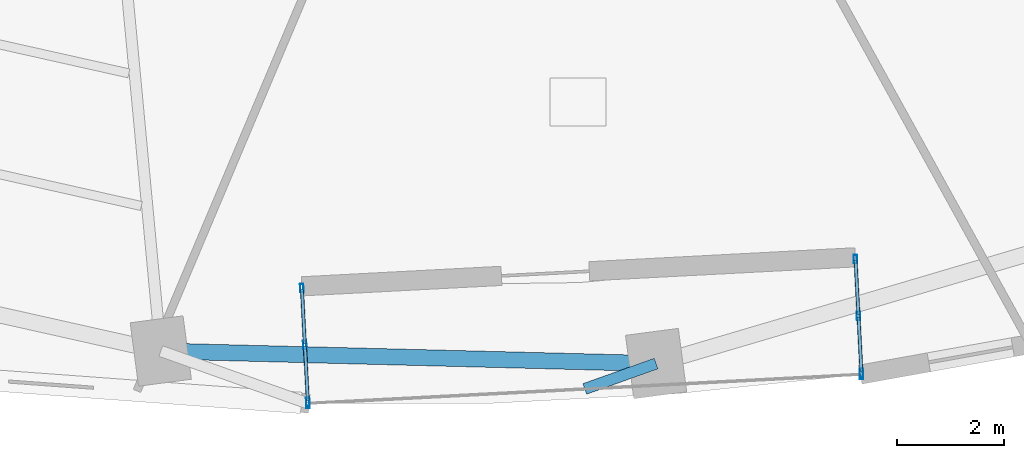
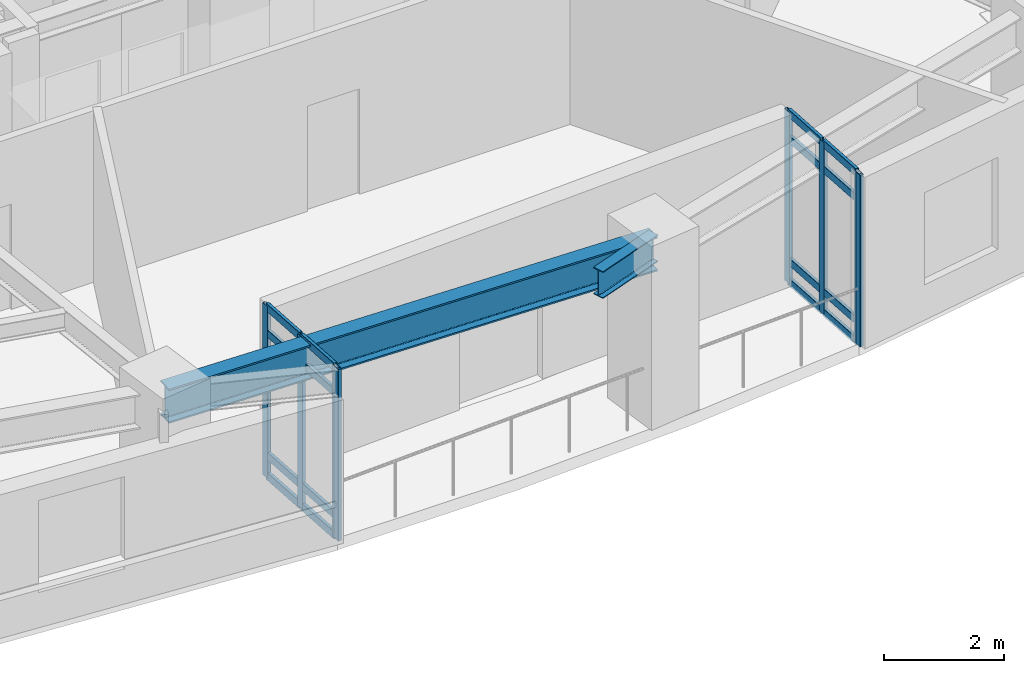
# One storey, part 2 of 11: 24 members, 2 beams, 2 elements without a shape of their own.
"""IFC4 building model written with IfcOpenShell, lengths in metres."""

from ifc_helpers import new_model, si_unit, direction, frame, origin, origin_2d, place, context, subcontext, project, spatial, hollow_rectangle, i_section, extrude, material, layer, layer_set, material_profile, profile_set, type_object, element, aggregate, save


model = new_model("IFC4")

# Units and contexts
model_context = context("Model", 3, precision=1e-05, world=origin(), true_north=direction((0.0, 1.0)))
body_context = subcontext(model_context, "Body", "Model", "MODEL_VIEW")
ifc_project = project(units=[si_unit("LENGTHUNIT", "METRE"), si_unit("AREAUNIT", "SQUARE_METRE"), si_unit("VOLUMEUNIT", "CUBIC_METRE"), si_unit("PLANEANGLEUNIT", "RADIAN"), si_unit("MASSUNIT", "GRAM", prefix="KILO")], contexts=[model_context])

# Site, building, storey
site_placement = place(None, origin())
site = spatial("IfcSite", under=ifc_project, at=site_placement, CompositionType="ELEMENT")
building_placement = place(site_placement, origin())
building = spatial("IfcBuilding", under=site, at=building_placement, Name="Ndelora Gate Hotel", CompositionType="ELEMENT")
storey_placement = place(building_placement, frame((0.0, 0.0, 41.75)))
storey = spatial("IfcBuildingStorey", under=building, at=storey_placement, Name="L09", CompositionType="ELEMENT", Elevation=41.75)

# Beams
ifc_material_1 = material(Name="Steel S355", Category="steel")
ifc_material_profile_1 = material_profile(ifc_material_1, i_section(OverallWidth=0.2099609375, OverallDepth=0.550048828125, WebThickness=0.010986328125, FlangeThickness=0.01708984375, FilletRadius=0.02392578125, at=origin_2d()), Name="IPE 550")
ifc_profile_set_1 = profile_set([ifc_material_profile_1], Name="Steel S355")
beam_type_1 = type_object("IfcBeamType", Name="BM-RAD-550", PredefinedType="BEAM", material=ifc_profile_set_1)
beam_1_placement = place(storey_placement, frame((2.2646484375, -17.20166015625, 3.22509765625), z_axis=(-0.942203837473, -0.335040189607, 0.0), x_axis=(0.335040189607, -0.942203837473, 0.0)))
element("IfcBeam", 1, at=beam_1_placement, inside=storey, type_object=beam_type_1, Name="L09 Sky-Garden Loggia Column Bracket 2", PredefinedType="BEAM", context=body_context, shape_type="SweptSolid", body=[
    extrude(i_section(OverallWidth=0.2099609375, OverallDepth=0.550048828125, WebThickness=0.010986328125, FlangeThickness=0.01708984375, FilletRadius=0.02392578125, at=origin_2d()), origin(), (0.0, 0.0, 1.0), 1.420166015625),
])
ifc_material_profile_2 = material_profile(ifc_material_1, i_section(OverallWidth=0.300048828125, OverallDepth=0.699951171875, WebThickness=0.01708984375, FlangeThickness=0.031982421875, FilletRadius=0.027099609375, at=origin_2d()), Name="HEB 700")
ifc_profile_set_2 = profile_set([ifc_material_profile_2], Name="Steel S355")
beam_type_2 = type_object("IfcBeamType", Name="BM-RING-700", PredefinedType="SPANDREL", material=ifc_profile_set_2)
beam_2_placement = place(storey_placement, frame((-7.027587890625, -16.96630859375, 3.14990234375), z_axis=(0.999679406439, -0.025319643409, 0.0), x_axis=(0.025319643409, 0.999679406439, 0.0)))
element("IfcBeam", 2, at=beam_2_placement, inside=storey, type_object=beam_type_2, Name="L09 Perimeter Spandrel Girder 6", PredefinedType="SPANDREL", context=body_context, shape_type="SweptSolid", body=[
    extrude(i_section(OverallWidth=0.300048828125, OverallDepth=0.699951171875, WebThickness=0.01708984375, FlangeThickness=0.031982421875, FilletRadius=0.027099609375, at=origin_2d()), origin(), (0.0, 0.0, 1.0), 9.295166015625),
])

# Curtain wall, members
ifc_material_2 = material(Name="Bronze Anodised Unitised Aluminium and Low-E Glass", Category="aluminium")
ifc_layer = layer(ifc_material_2, 0.199951171875)
ifc_layer_set = layer_set([ifc_layer], Name="Bronze Anodised Unitised Aluminium and Low-E Glass")
curtain_wall_type = type_object("IfcCurtainWallType", Name="CW-SYS-3", PredefinedType="NOTDEFINED", material=ifc_layer_set)
curtain_wall_1_placement = place(storey_placement, origin())
curtain_wall_1 = element("IfcCurtainWall", 3, at=curtain_wall_1_placement, inside=storey, type_object=curtain_wall_type, Name="L09 Sky-Garden Loggia Side Curtain Wall CW3-1", PredefinedType="NOTDEFINED")
ifc_material_3 = material(Name="Bronze Anodised Aluminium 6063-T6", Category="aluminium")
ifc_material_profile_3 = material_profile(ifc_material_3, hollow_rectangle(XDim=0.06494140625, YDim=0.159912109375, WallThickness=0.00390625, InnerFilletRadius=0.00390625, OuterFilletRadius=0.008056640625, at=origin_2d()), Name="ALU 160x65x4")
ifc_profile_set_3 = profile_set([ifc_material_profile_3], Name="Bronze Anodised Aluminium 6063-T6")
member_type_1 = type_object("IfcMemberType", Name="MB-CW-MUL150", PredefinedType="MULLION", material=ifc_profile_set_3)
member_1_placement = place(storey_placement, frame((-4.3798828125, -15.78515625, -0.00390625), z_axis=(0.0, 0.0, 1.0), x_axis=(0.998628106419, 0.052363203389, 0.0)))
member_1 = element("IfcMember", 4, at=member_1_placement, type_object=member_type_1, Name="CW3 mullion 1", PredefinedType="MULLION", context=body_context, shape_type="SweptSolid", body=[
    extrude(hollow_rectangle(XDim=0.06494140625, YDim=0.159912109375, WallThickness=0.00390625, InnerFilletRadius=0.00390625, OuterFilletRadius=0.008056640625, at=origin_2d()), origin(), (0.0, 0.0, 1.0), 3.5078125),
])
member_2_placement = place(storey_placement, frame((-4.323974609375, -16.851318359375, -0.00390625), z_axis=(0.0, 0.0, 1.0), x_axis=(0.998628106419, 0.052363203389, 0.0)))
member_2 = element("IfcMember", 5, at=member_2_placement, type_object=member_type_1, Name="CW3 mullion 2", PredefinedType="MULLION", context=body_context, shape_type="SweptSolid", body=[
    extrude(hollow_rectangle(XDim=0.06494140625, YDim=0.159912109375, WallThickness=0.00390625, InnerFilletRadius=0.00390625, OuterFilletRadius=0.008056640625, at=origin_2d()), origin(), (0.0, 0.0, 1.0), 3.5078125),
])
member_3_placement = place(storey_placement, frame((-4.26806640625, -17.917236328125, -0.00390625), z_axis=(0.0, 0.0, 1.0), x_axis=(0.998628106419, 0.052363203389, 0.0)))
member_3 = element("IfcMember", 6, at=member_3_placement, type_object=member_type_1, Name="CW3 mullion 3", PredefinedType="MULLION", context=body_context, shape_type="SweptSolid", body=[
    extrude(hollow_rectangle(XDim=0.06494140625, YDim=0.159912109375, WallThickness=0.00390625, InnerFilletRadius=0.00390625, OuterFilletRadius=0.008056640625, at=origin_2d()), origin(), (0.0, 0.0, 1.0), 3.5078125),
])

curtain_wall_2_placement = place(storey_placement, origin())
curtain_wall_2 = element("IfcCurtainWall", 7, at=curtain_wall_2_placement, inside=storey, type_object=curtain_wall_type, Name="L09 Sky-Garden Loggia Side Curtain Wall CW3-2", PredefinedType="NOTDEFINED")
member_4_placement = place(storey_placement, frame((6.11767578125, -17.373046875, -0.00390625), z_axis=(0.0, 0.0, 1.0), x_axis=(-0.998630482257, -0.052317873695, 0.0)))
member_4 = element("IfcMember", 8, at=member_4_placement, type_object=member_type_1, Name="CW3 mullion 1", PredefinedType="MULLION", context=body_context, shape_type="SweptSolid", body=[
    extrude(hollow_rectangle(XDim=0.06494140625, YDim=0.159912109375, WallThickness=0.00390625, InnerFilletRadius=0.00390625, OuterFilletRadius=0.008056640625, at=origin_2d()), origin(), (0.0, 0.0, 1.0), 3.5078125),
])
member_5_placement = place(storey_placement, frame((6.061767578125, -16.306884765625, -0.00390625), z_axis=(0.0, 0.0, 1.0), x_axis=(-0.998630482257, -0.052317873695, 0.0)))
member_5 = element("IfcMember", 9, at=member_5_placement, type_object=member_type_1, Name="CW3 mullion 2", PredefinedType="MULLION", context=body_context, shape_type="SweptSolid", body=[
    extrude(hollow_rectangle(XDim=0.06494140625, YDim=0.159912109375, WallThickness=0.00390625, InnerFilletRadius=0.00390625, OuterFilletRadius=0.008056640625, at=origin_2d()), origin(), (0.0, 0.0, 1.0), 3.5078125),
])
member_6_placement = place(storey_placement, frame((6.005859375, -15.240966796875, -0.00390625), z_axis=(0.0, 0.0, 1.0), x_axis=(-0.998630482257, -0.052317873695, 0.0)))
member_6 = element("IfcMember", 10, at=member_6_placement, type_object=member_type_1, Name="CW3 mullion 3", PredefinedType="MULLION", context=body_context, shape_type="SweptSolid", body=[
    extrude(hollow_rectangle(XDim=0.06494140625, YDim=0.159912109375, WallThickness=0.00390625, InnerFilletRadius=0.00390625, OuterFilletRadius=0.008056640625, at=origin_2d()), origin(), (0.0, 0.0, 1.0), 3.5078125),
])

# Member
ifc_material_profile_4 = material_profile(ifc_material_3, hollow_rectangle(XDim=0.070068359375, YDim=0.179931640625, WallThickness=0.0048828125, InnerFilletRadius=0.0048828125, OuterFilletRadius=0.010009765625, at=origin_2d()), Name="ALU 180x70x5")
ifc_profile_set_4 = profile_set([ifc_material_profile_4], Name="Bronze Anodised Aluminium 6063-T6")
member_type_2 = type_object("IfcMemberType", Name="MB-CW-MUL180", PredefinedType="MULLION", material=ifc_profile_set_4)
member_7_placement = place(storey_placement, frame((-4.266357421875, -17.94970703125, 0.0), z_axis=(0.0, 0.0, 1.0), x_axis=(1.0, 0.0, 0.0)))
member_7 = element("IfcMember", 11, at=member_7_placement, type_object=member_type_2, Name="L09 Sky-Garden Loggia Corner Mullion Post 1", PredefinedType="MULLION", context=body_context, shape_type="SweptSolid", body=[
    extrude(hollow_rectangle(XDim=0.070068359375, YDim=0.179931640625, WallThickness=0.0048828125, InnerFilletRadius=0.0048828125, OuterFilletRadius=0.010009765625, at=origin_2d()), origin(), (0.0, 0.0, 1.0), 3.5),
])

member_8_placement = place(storey_placement, frame((6.119384765625, -17.405517578125, 0.0), z_axis=(0.0, 0.0, 1.0), x_axis=(1.0, 0.0, 0.0)))
member_8 = element("IfcMember", 12, at=member_8_placement, type_object=member_type_2, Name="L09 Sky-Garden Loggia Corner Mullion Post 2", PredefinedType="MULLION", context=body_context, shape_type="SweptSolid", body=[
    extrude(hollow_rectangle(XDim=0.070068359375, YDim=0.179931640625, WallThickness=0.0048828125, InnerFilletRadius=0.0048828125, OuterFilletRadius=0.010009765625, at=origin_2d()), origin(), (0.0, 0.0, 1.0), 3.5),
])

ifc_material_profile_5 = material_profile(ifc_material_3, hollow_rectangle(XDim=0.06494140625, YDim=0.159912109375, WallThickness=0.00390625, InnerFilletRadius=0.00390625, OuterFilletRadius=0.008056640625, at=origin_2d()), Name="ALU 160x65x4")
ifc_profile_set_5 = profile_set([ifc_material_profile_5], Name="Bronze Anodised Aluminium 6063-T6")
member_type_3 = type_object("IfcMemberType", Name="MB-CW-TRN150", PredefinedType="USERDEFINED", material=ifc_profile_set_5)
member_9_placement = place(storey_placement, frame((-4.37841796875, -15.8115234375, 0.032470703125), z_axis=(0.052217819525, -0.998635719031, 0.0), x_axis=(0.998635719031, 0.052217819525, 0.0)))
member_9 = element("IfcMember", 13, at=member_9_placement, type_object=member_type_3, Name="CW3 transom 1.1", ObjectType="TRANSOM", PredefinedType="USERDEFINED", context=body_context, shape_type="SweptSolid", body=[
    extrude(hollow_rectangle(XDim=0.06494140625, YDim=0.159912109375, WallThickness=0.00390625, InnerFilletRadius=0.00390625, OuterFilletRadius=0.008056640625, at=origin_2d()), origin(), (0.0, 0.0, 1.0), 1.0146484375),
])

member_10_placement = place(storey_placement, frame((-4.37841796875, -15.8115234375, 0.449951171875), z_axis=(0.052217819525, -0.998635719031, 0.0), x_axis=(0.998635719031, 0.052217819525, 0.0)))
member_10 = element("IfcMember", 14, at=member_10_placement, type_object=member_type_3, Name="CW3 transom 1.2", ObjectType="TRANSOM", PredefinedType="USERDEFINED", context=body_context, shape_type="SweptSolid", body=[
    extrude(hollow_rectangle(XDim=0.06494140625, YDim=0.159912109375, WallThickness=0.00390625, InnerFilletRadius=0.00390625, OuterFilletRadius=0.008056640625, at=origin_2d()), origin(), (0.0, 0.0, 1.0), 1.0146484375),
])

member_11_placement = place(storey_placement, frame((-4.37841796875, -15.8115234375, 2.949951171875), z_axis=(0.052217819525, -0.998635719031, 0.0), x_axis=(0.998635719031, 0.052217819525, 0.0)))
member_11 = element("IfcMember", 15, at=member_11_placement, type_object=member_type_3, Name="CW3 transom 1.3", ObjectType="TRANSOM", PredefinedType="USERDEFINED", context=body_context, shape_type="SweptSolid", body=[
    extrude(hollow_rectangle(XDim=0.06494140625, YDim=0.159912109375, WallThickness=0.00390625, InnerFilletRadius=0.00390625, OuterFilletRadius=0.008056640625, at=origin_2d()), origin(), (0.0, 0.0, 1.0), 1.0146484375),
])

member_12_placement = place(storey_placement, frame((-4.37841796875, -15.8115234375, 3.467529296875), z_axis=(0.052217819525, -0.998635719031, 0.0), x_axis=(0.998635719031, 0.052217819525, 0.0)))
member_12 = element("IfcMember", 16, at=member_12_placement, type_object=member_type_3, Name="CW3 transom 1.4", ObjectType="TRANSOM", PredefinedType="USERDEFINED", context=body_context, shape_type="SweptSolid", body=[
    extrude(hollow_rectangle(XDim=0.06494140625, YDim=0.159912109375, WallThickness=0.00390625, InnerFilletRadius=0.00390625, OuterFilletRadius=0.008056640625, at=origin_2d()), origin(), (0.0, 0.0, 1.0), 1.0146484375),
])

member_13_placement = place(storey_placement, frame((-4.322509765625, -16.877685546875, 0.032470703125), z_axis=(0.052217819525, -0.998635719031, 0.0), x_axis=(0.998635719031, 0.052217819525, 0.0)))
member_13 = element("IfcMember", 17, at=member_13_placement, type_object=member_type_3, Name="CW3 transom 2.1", ObjectType="TRANSOM", PredefinedType="USERDEFINED", context=body_context, shape_type="SweptSolid", body=[
    extrude(hollow_rectangle(XDim=0.06494140625, YDim=0.159912109375, WallThickness=0.00390625, InnerFilletRadius=0.00390625, OuterFilletRadius=0.008056640625, at=origin_2d()), origin(), (0.0, 0.0, 1.0), 1.0146484375),
])

member_14_placement = place(storey_placement, frame((-4.322509765625, -16.877685546875, 0.449951171875), z_axis=(0.052217819525, -0.998635719031, 0.0), x_axis=(0.998635719031, 0.052217819525, 0.0)))
member_14 = element("IfcMember", 18, at=member_14_placement, type_object=member_type_3, Name="CW3 transom 2.2", ObjectType="TRANSOM", PredefinedType="USERDEFINED", context=body_context, shape_type="SweptSolid", body=[
    extrude(hollow_rectangle(XDim=0.06494140625, YDim=0.159912109375, WallThickness=0.00390625, InnerFilletRadius=0.00390625, OuterFilletRadius=0.008056640625, at=origin_2d()), origin(), (0.0, 0.0, 1.0), 1.0146484375),
])

member_15_placement = place(storey_placement, frame((-4.322509765625, -16.877685546875, 2.949951171875), z_axis=(0.052217819525, -0.998635719031, 0.0), x_axis=(0.998635719031, 0.052217819525, 0.0)))
member_15 = element("IfcMember", 19, at=member_15_placement, type_object=member_type_3, Name="CW3 transom 2.3", ObjectType="TRANSOM", PredefinedType="USERDEFINED", context=body_context, shape_type="SweptSolid", body=[
    extrude(hollow_rectangle(XDim=0.06494140625, YDim=0.159912109375, WallThickness=0.00390625, InnerFilletRadius=0.00390625, OuterFilletRadius=0.008056640625, at=origin_2d()), origin(), (0.0, 0.0, 1.0), 1.0146484375),
])

member_16_placement = place(storey_placement, frame((-4.322509765625, -16.877685546875, 3.467529296875), z_axis=(0.052217819525, -0.998635719031, 0.0), x_axis=(0.998635719031, 0.052217819525, 0.0)))
member_16 = element("IfcMember", 20, at=member_16_placement, type_object=member_type_3, Name="CW3 transom 2.4", ObjectType="TRANSOM", PredefinedType="USERDEFINED", context=body_context, shape_type="SweptSolid", body=[
    extrude(hollow_rectangle(XDim=0.06494140625, YDim=0.159912109375, WallThickness=0.00390625, InnerFilletRadius=0.00390625, OuterFilletRadius=0.008056640625, at=origin_2d()), origin(), (0.0, 0.0, 1.0), 1.0146484375),
])

aggregate(curtain_wall_1, [member_1, member_2, member_3, member_9, member_10, member_11, member_12, member_13, member_14, member_15, member_16, member_7])

member_17_placement = place(storey_placement, frame((6.1162109375, -17.346435546875, 0.032470703125), z_axis=(-0.052217819525, 0.998635719031, 0.0), x_axis=(-0.998635719031, -0.052217819525, 0.0)))
member_17 = element("IfcMember", 21, at=member_17_placement, type_object=member_type_3, Name="CW3 transom 1.1", ObjectType="TRANSOM", PredefinedType="USERDEFINED", context=body_context, shape_type="SweptSolid", body=[
    extrude(hollow_rectangle(XDim=0.06494140625, YDim=0.159912109375, WallThickness=0.00390625, InnerFilletRadius=0.00390625, OuterFilletRadius=0.008056640625, at=origin_2d()), origin(), (0.0, 0.0, 1.0), 1.0146484375),
])

member_18_placement = place(storey_placement, frame((6.1162109375, -17.346435546875, 0.449951171875), z_axis=(-0.052217819525, 0.998635719031, 0.0), x_axis=(-0.998635719031, -0.052217819525, 0.0)))
member_18 = element("IfcMember", 22, at=member_18_placement, type_object=member_type_3, Name="CW3 transom 1.2", ObjectType="TRANSOM", PredefinedType="USERDEFINED", context=body_context, shape_type="SweptSolid", body=[
    extrude(hollow_rectangle(XDim=0.06494140625, YDim=0.159912109375, WallThickness=0.00390625, InnerFilletRadius=0.00390625, OuterFilletRadius=0.008056640625, at=origin_2d()), origin(), (0.0, 0.0, 1.0), 1.0146484375),
])

member_19_placement = place(storey_placement, frame((6.1162109375, -17.346435546875, 2.949951171875), z_axis=(-0.052217819525, 0.998635719031, 0.0), x_axis=(-0.998635719031, -0.052217819525, 0.0)))
member_19 = element("IfcMember", 23, at=member_19_placement, type_object=member_type_3, Name="CW3 transom 1.3", ObjectType="TRANSOM", PredefinedType="USERDEFINED", context=body_context, shape_type="SweptSolid", body=[
    extrude(hollow_rectangle(XDim=0.06494140625, YDim=0.159912109375, WallThickness=0.00390625, InnerFilletRadius=0.00390625, OuterFilletRadius=0.008056640625, at=origin_2d()), origin(), (0.0, 0.0, 1.0), 1.0146484375),
])

member_20_placement = place(storey_placement, frame((6.1162109375, -17.346435546875, 3.467529296875), z_axis=(-0.052217819525, 0.998635719031, 0.0), x_axis=(-0.998635719031, -0.052217819525, 0.0)))
member_20 = element("IfcMember", 24, at=member_20_placement, type_object=member_type_3, Name="CW3 transom 1.4", ObjectType="TRANSOM", PredefinedType="USERDEFINED", context=body_context, shape_type="SweptSolid", body=[
    extrude(hollow_rectangle(XDim=0.06494140625, YDim=0.159912109375, WallThickness=0.00390625, InnerFilletRadius=0.00390625, OuterFilletRadius=0.008056640625, at=origin_2d()), origin(), (0.0, 0.0, 1.0), 1.0146484375),
])

member_21_placement = place(storey_placement, frame((6.060302734375, -16.280517578125, 0.032470703125), z_axis=(-0.052217819525, 0.998635719031, 0.0), x_axis=(-0.998635719031, -0.052217819525, 0.0)))
member_21 = element("IfcMember", 25, at=member_21_placement, type_object=member_type_3, Name="CW3 transom 2.1", ObjectType="TRANSOM", PredefinedType="USERDEFINED", context=body_context, shape_type="SweptSolid", body=[
    extrude(hollow_rectangle(XDim=0.06494140625, YDim=0.159912109375, WallThickness=0.00390625, InnerFilletRadius=0.00390625, OuterFilletRadius=0.008056640625, at=origin_2d()), origin(), (0.0, 0.0, 1.0), 1.0146484375),
])

member_22_placement = place(storey_placement, frame((6.060302734375, -16.280517578125, 0.449951171875), z_axis=(-0.052217819525, 0.998635719031, 0.0), x_axis=(-0.998635719031, -0.052217819525, 0.0)))
member_22 = element("IfcMember", 26, at=member_22_placement, type_object=member_type_3, Name="CW3 transom 2.2", ObjectType="TRANSOM", PredefinedType="USERDEFINED", context=body_context, shape_type="SweptSolid", body=[
    extrude(hollow_rectangle(XDim=0.06494140625, YDim=0.159912109375, WallThickness=0.00390625, InnerFilletRadius=0.00390625, OuterFilletRadius=0.008056640625, at=origin_2d()), origin(), (0.0, 0.0, 1.0), 1.0146484375),
])

member_23_placement = place(storey_placement, frame((6.060302734375, -16.280517578125, 2.949951171875), z_axis=(-0.052217819525, 0.998635719031, 0.0), x_axis=(-0.998635719031, -0.052217819525, 0.0)))
member_23 = element("IfcMember", 27, at=member_23_placement, type_object=member_type_3, Name="CW3 transom 2.3", ObjectType="TRANSOM", PredefinedType="USERDEFINED", context=body_context, shape_type="SweptSolid", body=[
    extrude(hollow_rectangle(XDim=0.06494140625, YDim=0.159912109375, WallThickness=0.00390625, InnerFilletRadius=0.00390625, OuterFilletRadius=0.008056640625, at=origin_2d()), origin(), (0.0, 0.0, 1.0), 1.0146484375),
])

member_24_placement = place(storey_placement, frame((6.060302734375, -16.280517578125, 3.467529296875), z_axis=(-0.052217819525, 0.998635719031, 0.0), x_axis=(-0.998635719031, -0.052217819525, 0.0)))
member_24 = element("IfcMember", 28, at=member_24_placement, type_object=member_type_3, Name="CW3 transom 2.4", ObjectType="TRANSOM", PredefinedType="USERDEFINED", context=body_context, shape_type="SweptSolid", body=[
    extrude(hollow_rectangle(XDim=0.06494140625, YDim=0.159912109375, WallThickness=0.00390625, InnerFilletRadius=0.00390625, OuterFilletRadius=0.008056640625, at=origin_2d()), origin(), (0.0, 0.0, 1.0), 1.0146484375),
])

aggregate(curtain_wall_2, [member_4, member_5, member_6, member_17, member_18, member_19, member_20, member_21, member_22, member_23, member_24, member_8])

save(model, "model.ifc")
